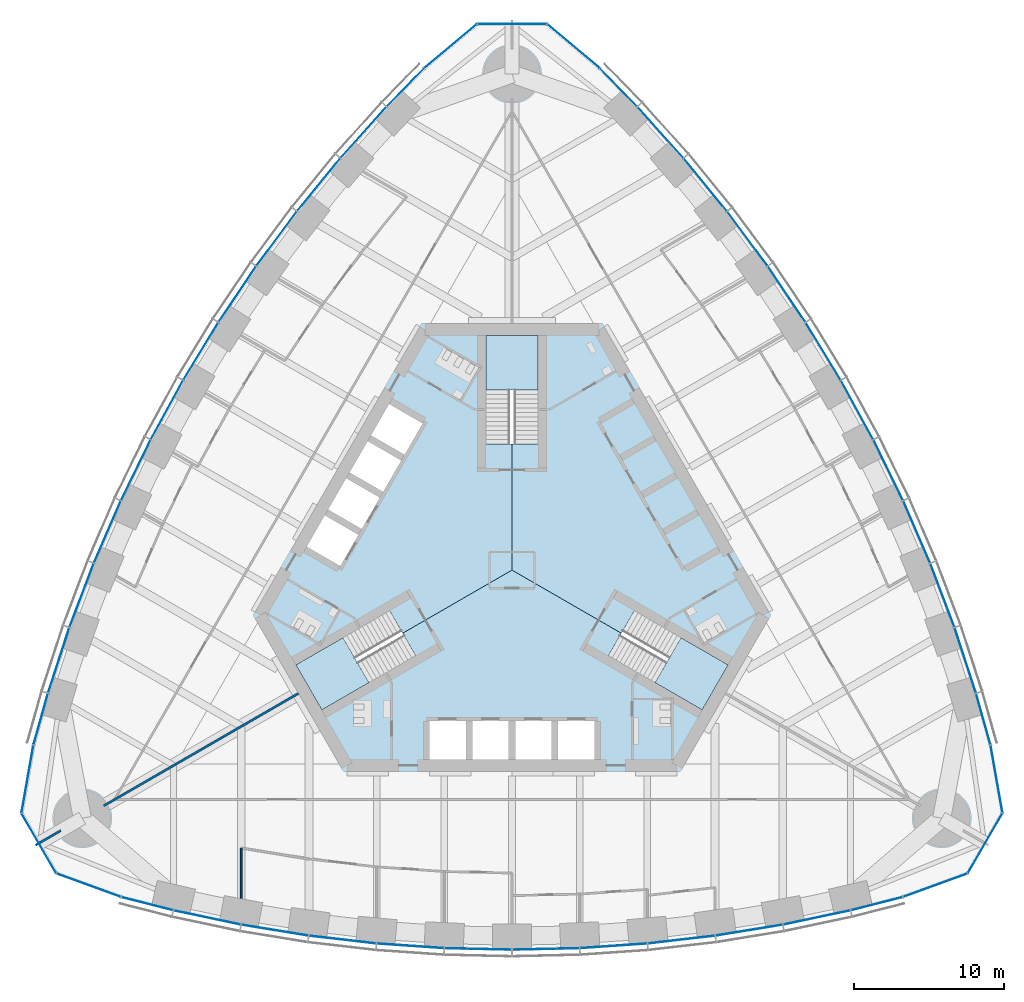
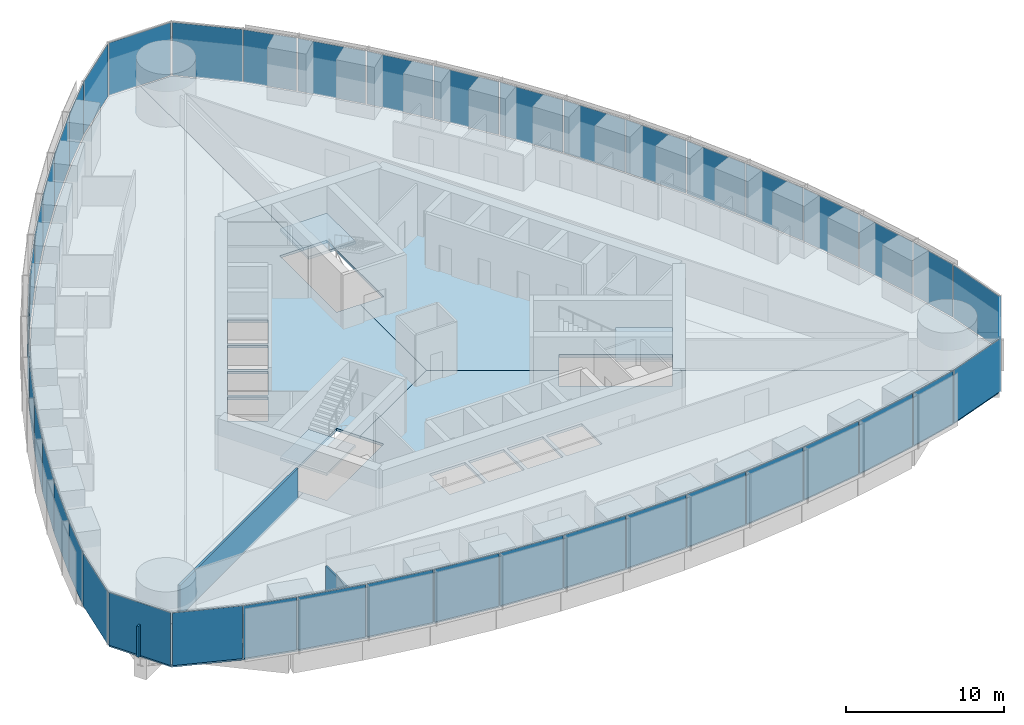
# One storey, part 10 of 19: 45 plates, 6 slabs, 3 walls, 9 elements without a shape of their own.
"""IFC4 building model written with IfcOpenShell, lengths in metres."""

from ifc_helpers import new_model, si_unit, direction, frame, frame_2d, origin, origin_2d, place, context, subcontext, project, spatial, polyline, rectangle, outline, extrude, material, layer, layer_set, type_object, element, aggregate, save


model = new_model("IFC4")

# Units and contexts
model_context = context("Model", 3, precision=1e-05, world=origin(), true_north=direction((0.0, 1.0)))
body_context = subcontext(model_context, "Body", "Model", "MODEL_VIEW")
ifc_project = project(units=[si_unit("LENGTHUNIT", "METRE"), si_unit("AREAUNIT", "SQUARE_METRE"), si_unit("VOLUMEUNIT", "CUBIC_METRE"), si_unit("PLANEANGLEUNIT", "RADIAN"), si_unit("MASSUNIT", "GRAM", prefix="KILO")], contexts=[model_context])

# Site, building, storey
site_placement = place(None, origin())
site = spatial("IfcSite", under=ifc_project, at=site_placement, CompositionType="ELEMENT")
building_placement = place(site_placement, origin())
building = spatial("IfcBuilding", under=site, at=building_placement, Name="Trefoil Bronze Tower", CompositionType="ELEMENT")
storey_placement = place(building_placement, frame((0.0, 0.0, 189.699951171875)))
storey = spatial("IfcBuildingStorey", under=building, at=storey_placement, Name="L43", CompositionType="ELEMENT", Elevation=189.699951171875)

# Curtain wall, plates
ifc_material_1 = material(Name="Tinted solar-control glass", Category="glass")
curtain_wall_type_1 = type_object("IfcCurtainWallType", Name="Bronze office curtain wall", PredefinedType="USERDEFINED", material=ifc_material_1)
curtain_wall_1_placement = place(storey_placement, origin())
curtain_wall_1 = element("IfcCurtainWall", 1, at=curtain_wall_1_placement, inside=storey, type_object=curtain_wall_type_1, Name="CW-A L43 F1", ObjectType="CURTAIN WALL", PredefinedType="USERDEFINED")
ifc_material_2 = material(Name="Tinted solar-control glass", Category="glass")
ifc_layer_1 = layer(ifc_material_2, 0.030029296875)
ifc_layer_set_1 = layer_set([ifc_layer_1], Name="Bronze office curtain wall glass panel")
plate_type_1 = type_object("IfcPlateType", Name="Bronze office curtain wall glass panel", PredefinedType="CURTAIN_PANEL", material=ifc_layer_set_1)
plate_1_placement = place(storey_placement, frame((-24.251220703125, -22.188232421875, 0.0), z_axis=(0.0, 0.0, 1.0), x_axis=(0.968934035393, -0.247319297786, 0.0)))
plate_1 = element("IfcPlate", 2, at=plate_1_placement, type_object=plate_type_1, Name="CW-A L43 F1 panel 1", PredefinedType="CURTAIN_PANEL", context=body_context, shape_type="SweptSolid", body=[
    extrude(rectangle(XDim=3.483642578125, YDim=0.030029296875, at=origin_2d()), origin(), (0.0, 0.0, 1.0), 4.080078125),
])
plate_2_placement = place(storey_placement, frame((-20.270751953125, -23.105224609375, 0.0), z_axis=(0.0, 0.0, 1.0), x_axis=(0.978394335897, -0.20674748725, 0.0)))
plate_2 = element("IfcPlate", 3, at=plate_2_placement, type_object=plate_type_1, Name="CW-A L43 F1 panel 2", PredefinedType="CURTAIN_PANEL", context=body_context, shape_type="SweptSolid", body=[
    extrude(rectangle(XDim=4.519287109375, YDim=0.030029296875, at=origin_2d()), origin(), (0.0, 0.0, 1.0), 4.080078125),
])
plate_3_placement = place(storey_placement, frame((-15.76611328125, -23.9482421875, 0.0), z_axis=(0.0, 0.0, 1.0), x_axis=(0.986986549528, -0.160802832848, 0.0)))
plate_3 = element("IfcPlate", 4, at=plate_3_placement, type_object=plate_type_1, Name="CW-A L43 F1 panel 3", PredefinedType="CURTAIN_PANEL", context=body_context, shape_type="SweptSolid", body=[
    extrude(rectangle(XDim=4.479248046875, YDim=0.030029296875, at=origin_2d()), origin(), (0.0, 0.0, 1.0), 4.080078125),
])
plate_4_placement = place(storey_placement, frame((-11.261474609375, -24.57568359375, 0.0), z_axis=(0.0, 0.0, 1.0), x_axis=(0.993381831741, -0.114858767043, 0.0)))
plate_4 = element("IfcPlate", 5, at=plate_4_placement, type_object=plate_type_1, Name="CW-A L43 F1 panel 4", PredefinedType="CURTAIN_PANEL", context=body_context, shape_type="SweptSolid", body=[
    extrude(rectangle(XDim=4.449951171875, YDim=0.030029296875, at=origin_2d()), origin(), (0.0, 0.0, 1.0), 4.080078125),
])
plate_5_placement = place(storey_placement, frame((-6.7568359375, -24.991455078125, 0.0), z_axis=(0.0, 0.0, 1.0), x_axis=(0.99762252804, -0.068915103905, 0.0)))
plate_5 = element("IfcPlate", 6, at=plate_5_placement, type_object=plate_type_1, Name="CW-A L43 F1 panel 5", PredefinedType="CURTAIN_PANEL", context=body_context, shape_type="SweptSolid", body=[
    extrude(rectangle(XDim=4.4306640625, YDim=0.030029296875, at=origin_2d()), origin(), (0.0, 0.0, 1.0), 4.080078125),
])
plate_6_placement = place(storey_placement, frame((-2.252197265625, -25.198974609375, 0.0), z_axis=(0.0, 0.0, 1.0), x_axis=(0.999736116243, -0.022971675577, 0.0)))
plate_6 = element("IfcPlate", 7, at=plate_6_placement, type_object=plate_type_1, Name="CW-A L43 F1 panel 6", PredefinedType="CURTAIN_PANEL", context=body_context, shape_type="SweptSolid", body=[
    extrude(rectangle(XDim=4.421142578125, YDim=0.030029296875, at=origin_2d()), origin(), (0.0, 0.0, 1.0), 4.080078125),
])
plate_7_placement = place(storey_placement, frame((2.252197265625, -25.198974609375, 0.0), z_axis=(0.0, 0.0, 1.0), x_axis=(0.999736116243, 0.022971675577, 0.0)))
plate_7 = element("IfcPlate", 8, at=plate_7_placement, type_object=plate_type_1, Name="CW-A L43 F1 panel 7", PredefinedType="CURTAIN_PANEL", context=body_context, shape_type="SweptSolid", body=[
    extrude(rectangle(XDim=4.421142578125, YDim=0.030029296875, at=origin_2d()), origin(), (0.0, 0.0, 1.0), 4.080078125),
])
plate_8_placement = place(storey_placement, frame((6.7568359375, -24.991455078125, 0.0), z_axis=(0.0, 0.0, 1.0), x_axis=(0.99762252804, 0.068915103905, 0.0)))
plate_8 = element("IfcPlate", 9, at=plate_8_placement, type_object=plate_type_1, Name="CW-A L43 F1 panel 8", PredefinedType="CURTAIN_PANEL", context=body_context, shape_type="SweptSolid", body=[
    extrude(rectangle(XDim=4.4306640625, YDim=0.030029296875, at=origin_2d()), origin(), (0.0, 0.0, 1.0), 4.080078125),
])
plate_9_placement = place(storey_placement, frame((11.261474609375, -24.57568359375, 0.0), z_axis=(0.0, 0.0, 1.0), x_axis=(0.993381831741, 0.114858767043, 0.0)))
plate_9 = element("IfcPlate", 10, at=plate_9_placement, type_object=plate_type_1, Name="CW-A L43 F1 panel 9", PredefinedType="CURTAIN_PANEL", context=body_context, shape_type="SweptSolid", body=[
    extrude(rectangle(XDim=4.449951171875, YDim=0.030029296875, at=origin_2d()), origin(), (0.0, 0.0, 1.0), 4.080078125),
])
plate_10_placement = place(storey_placement, frame((15.76611328125, -23.9482421875, 0.0), z_axis=(0.0, 0.0, 1.0), x_axis=(0.986986549528, 0.160802832848, 0.0)))
plate_10 = element("IfcPlate", 11, at=plate_10_placement, type_object=plate_type_1, Name="CW-A L43 F1 panel 10", PredefinedType="CURTAIN_PANEL", context=body_context, shape_type="SweptSolid", body=[
    extrude(rectangle(XDim=4.479248046875, YDim=0.030029296875, at=origin_2d()), origin(), (0.0, 0.0, 1.0), 4.080078125),
])
plate_11_placement = place(storey_placement, frame((20.270751953125, -23.105224609375, 0.0), z_axis=(0.0, 0.0, 1.0), x_axis=(0.978394335897, 0.20674748725, 0.0)))
plate_11 = element("IfcPlate", 12, at=plate_11_placement, type_object=plate_type_1, Name="CW-A L43 F1 panel 11", PredefinedType="CURTAIN_PANEL", context=body_context, shape_type="SweptSolid", body=[
    extrude(rectangle(XDim=4.519287109375, YDim=0.030029296875, at=origin_2d()), origin(), (0.0, 0.0, 1.0), 4.080078125),
])
plate_12_placement = place(storey_placement, frame((24.251220703125, -22.188232421875, 0.0), z_axis=(0.0, 0.0, 1.0), x_axis=(0.968934035393, 0.247319297786, 0.0)))
plate_12 = element("IfcPlate", 13, at=plate_12_placement, type_object=plate_type_1, Name="CW-A L43 F1 panel 12", PredefinedType="CURTAIN_PANEL", context=body_context, shape_type="SweptSolid", body=[
    extrude(rectangle(XDim=3.483642578125, YDim=0.030029296875, at=origin_2d()), origin(), (0.0, 0.0, 1.0), 4.080078125),
])
aggregate(curtain_wall_1, [plate_1, plate_2, plate_3, plate_4, plate_5, plate_6, plate_7, plate_8, plate_9, plate_10, plate_11, plate_12])

curtain_wall_2_placement = place(storey_placement, origin())
curtain_wall_2 = element("IfcCurtainWall", 14, at=curtain_wall_2_placement, inside=storey, type_object=curtain_wall_type_1, Name="CW-A L43 F2", ObjectType="CURTAIN WALL", PredefinedType="USERDEFINED")
plate_13_placement = place(storey_placement, frame((31.341064453125, -9.907958984375, 0.0), z_axis=(0.0, 0.0, 1.0), x_axis=(-0.270282222968, 0.962781138134, 0.0)))
plate_13 = element("IfcPlate", 15, at=plate_13_placement, type_object=plate_type_1, Name="CW-A L43 F2 panel 1", PredefinedType="CURTAIN_PANEL", context=body_context, shape_type="SweptSolid", body=[
    extrude(rectangle(XDim=3.483642578125, YDim=0.030029296875, at=origin_2d()), origin(), (0.0, 0.0, 1.0), 4.080078125),
])
plate_14_placement = place(storey_placement, frame((30.14501953125, -6.002197265625, 0.0), z_axis=(0.0, 0.0, 1.0), x_axis=(-0.310148591821, 0.950688093431, 0.0)))
plate_14 = element("IfcPlate", 16, at=plate_14_placement, type_object=plate_type_1, Name="CW-A L43 F2 panel 2", PredefinedType="CURTAIN_PANEL", context=body_context, shape_type="SweptSolid", body=[
    extrude(rectangle(XDim=4.519287109375, YDim=0.030029296875, at=origin_2d()), origin(), (0.0, 0.0, 1.0), 4.080078125),
])
plate_15_placement = place(storey_placement, frame((28.622802734375, -1.6796875, 0.0), z_axis=(0.0, 0.0, 1.0), x_axis=(-0.354233936517, 0.935156841508, 0.0)))
plate_15 = element("IfcPlate", 17, at=plate_15_placement, type_object=plate_type_1, Name="CW-A L43 F2 panel 3", PredefinedType="CURTAIN_PANEL", context=body_context, shape_type="SweptSolid", body=[
    extrude(rectangle(XDim=4.479248046875, YDim=0.030029296875, at=origin_2d()), origin(), (0.0, 0.0, 1.0), 4.080078125),
])
plate_16_placement = place(storey_placement, frame((26.913818359375, 2.53515625, 0.0), z_axis=(0.0, 0.0, 1.0), x_axis=(-0.397220305764, 0.917723285467, 0.0)))
plate_16 = element("IfcPlate", 18, at=plate_16_placement, type_object=plate_type_1, Name="CW-A L43 F2 panel 4", PredefinedType="CURTAIN_PANEL", context=body_context, shape_type="SweptSolid", body=[
    extrude(rectangle(XDim=4.449951171875, YDim=0.030029296875, at=origin_2d()), origin(), (0.0, 0.0, 1.0), 4.080078125),
])
plate_17_placement = place(storey_placement, frame((25.021728515625, 6.64404296875, 0.0), z_axis=(0.0, 0.0, 1.0), x_axis=(-0.439129033334, 0.898424004623, 0.0)))
plate_17 = element("IfcPlate", 19, at=plate_17_placement, type_object=plate_type_1, Name="CW-A L43 F2 panel 5", PredefinedType="CURTAIN_PANEL", context=body_context, shape_type="SweptSolid", body=[
    extrude(rectangle(XDim=4.4306640625, YDim=0.030029296875, at=origin_2d()), origin(), (0.0, 0.0, 1.0), 4.080078125),
])
plate_18_placement = place(storey_placement, frame((22.948974609375, 10.64892578125, 0.0), z_axis=(0.0, 0.0, 1.0), x_axis=(-0.479974003504, 0.877282711536, 0.0)))
plate_18 = element("IfcPlate", 20, at=plate_18_placement, type_object=plate_type_1, Name="CW-A L43 F2 panel 6", PredefinedType="CURTAIN_PANEL", context=body_context, shape_type="SweptSolid", body=[
    extrude(rectangle(XDim=4.421142578125, YDim=0.030029296875, at=origin_2d()), origin(), (0.0, 0.0, 1.0), 4.080078125),
])
plate_19_placement = place(storey_placement, frame((20.69677734375, 14.550048828125, 0.0), z_axis=(0.0, 0.0, 1.0), x_axis=(-0.519762112739, 0.854311035959, 0.0)))
plate_19 = element("IfcPlate", 21, at=plate_19_placement, type_object=plate_type_1, Name="CW-A L43 F2 panel 7", PredefinedType="CURTAIN_PANEL", context=body_context, shape_type="SweptSolid", body=[
    extrude(rectangle(XDim=4.421142578125, YDim=0.030029296875, at=origin_2d()), origin(), (0.0, 0.0, 1.0), 4.080078125),
])
plate_20_placement = place(storey_placement, frame((18.264892578125, 18.347412109375, 0.0), z_axis=(0.0, 0.0, 1.0), x_axis=(-0.558493494706, 0.829508900718, 0.0)))
plate_20 = element("IfcPlate", 22, at=plate_20_placement, type_object=plate_type_1, Name="CW-A L43 F2 panel 8", PredefinedType="CURTAIN_PANEL", context=body_context, shape_type="SweptSolid", body=[
    extrude(rectangle(XDim=4.4306640625, YDim=0.030029296875, at=origin_2d()), origin(), (0.0, 0.0, 1.0), 4.080078125),
])
plate_21_placement = place(storey_placement, frame((15.65234375, 22.04052734375, 0.0), z_axis=(0.0, 0.0, 1.0), x_axis=(-0.596161525977, 0.802864518425, 0.0)))
plate_21 = element("IfcPlate", 23, at=plate_21_placement, type_object=plate_type_1, Name="CW-A L43 F2 panel 9", PredefinedType="CURTAIN_PANEL", context=body_context, shape_type="SweptSolid", body=[
    extrude(rectangle(XDim=4.449951171875, YDim=0.030029296875, at=origin_2d()), origin(), (0.0, 0.0, 1.0), 4.080078125),
])
plate_22_placement = place(storey_placement, frame((12.856689453125, 25.6279296875, 0.0), z_axis=(0.0, 0.0, 1.0), x_axis=(-0.63275261301, 0.774354008661, 0.0)))
plate_22 = element("IfcPlate", 24, at=plate_22_placement, type_object=plate_type_1, Name="CW-A L43 F2 panel 10", PredefinedType="CURTAIN_PANEL", context=body_context, shape_type="SweptSolid", body=[
    extrude(rectangle(XDim=4.479248046875, YDim=0.030029296875, at=origin_2d()), origin(), (0.0, 0.0, 1.0), 4.080078125),
])
plate_23_placement = place(storey_placement, frame((9.87451171875, 29.107666015625, 0.0), z_axis=(0.0, 0.0, 1.0), x_axis=(-0.668245744076, 0.743940606181, 0.0)))
plate_23 = element("IfcPlate", 25, at=plate_23_placement, type_object=plate_type_1, Name="CW-A L43 F2 panel 11", PredefinedType="CURTAIN_PANEL", context=body_context, shape_type="SweptSolid", body=[
    extrude(rectangle(XDim=4.519287109375, YDim=0.030029296875, at=origin_2d()), origin(), (0.0, 0.0, 1.0), 4.080078125),
])
plate_24_placement = place(storey_placement, frame((7.08984375, 32.09619140625, 0.0), z_axis=(0.0, 0.0, 1.0), x_axis=(-0.698651812425, 0.715461840349, 0.0)))
plate_24 = element("IfcPlate", 26, at=plate_24_placement, type_object=plate_type_1, Name="CW-A L43 F2 panel 12", PredefinedType="CURTAIN_PANEL", context=body_context, shape_type="SweptSolid", body=[
    extrude(rectangle(XDim=3.483642578125, YDim=0.030029296875, at=origin_2d()), origin(), (0.0, 0.0, 1.0), 4.080078125),
])
aggregate(curtain_wall_2, [plate_13, plate_14, plate_15, plate_16, plate_17, plate_18, plate_19, plate_20, plate_21, plate_22, plate_23, plate_24])

curtain_wall_3_placement = place(storey_placement, origin())
curtain_wall_3 = element("IfcCurtainWall", 27, at=curtain_wall_3_placement, inside=storey, type_object=curtain_wall_type_1, Name="CW-A L43 F3", ObjectType="CURTAIN WALL", PredefinedType="USERDEFINED")
plate_25_placement = place(storey_placement, frame((-7.08984375, 32.09619140625, 0.0), z_axis=(0.0, 0.0, 1.0), x_axis=(-0.698651812425, -0.715461840349, 0.0)))
plate_25 = element("IfcPlate", 28, at=plate_25_placement, type_object=plate_type_1, Name="CW-A L43 F3 panel 1", PredefinedType="CURTAIN_PANEL", context=body_context, shape_type="SweptSolid", body=[
    extrude(rectangle(XDim=3.483642578125, YDim=0.030029296875, at=origin_2d()), origin(), (0.0, 0.0, 1.0), 4.080078125),
])
plate_26_placement = place(storey_placement, frame((-9.87451171875, 29.107666015625, 0.0), z_axis=(0.0, 0.0, 1.0), x_axis=(-0.668245744076, -0.743940606181, 0.0)))
plate_26 = element("IfcPlate", 29, at=plate_26_placement, type_object=plate_type_1, Name="CW-A L43 F3 panel 2", PredefinedType="CURTAIN_PANEL", context=body_context, shape_type="SweptSolid", body=[
    extrude(rectangle(XDim=4.519287109375, YDim=0.030029296875, at=origin_2d()), origin(), (0.0, 0.0, 1.0), 4.080078125),
])
plate_27_placement = place(storey_placement, frame((-12.856689453125, 25.6279296875, 0.0), z_axis=(0.0, 0.0, 1.0), x_axis=(-0.63275261301, -0.774354008661, 0.0)))
plate_27 = element("IfcPlate", 30, at=plate_27_placement, type_object=plate_type_1, Name="CW-A L43 F3 panel 3", PredefinedType="CURTAIN_PANEL", context=body_context, shape_type="SweptSolid", body=[
    extrude(rectangle(XDim=4.479248046875, YDim=0.030029296875, at=origin_2d()), origin(), (0.0, 0.0, 1.0), 4.080078125),
])
plate_28_placement = place(storey_placement, frame((-15.65234375, 22.04052734375, 0.0), z_axis=(0.0, 0.0, 1.0), x_axis=(-0.596161525977, -0.802864518425, 0.0)))
plate_28 = element("IfcPlate", 31, at=plate_28_placement, type_object=plate_type_1, Name="CW-A L43 F3 panel 4", PredefinedType="CURTAIN_PANEL", context=body_context, shape_type="SweptSolid", body=[
    extrude(rectangle(XDim=4.449951171875, YDim=0.030029296875, at=origin_2d()), origin(), (0.0, 0.0, 1.0), 4.080078125),
])
plate_29_placement = place(storey_placement, frame((-18.264892578125, 18.347412109375, 0.0), z_axis=(0.0, 0.0, 1.0), x_axis=(-0.558493494706, -0.829508900718, 0.0)))
plate_29 = element("IfcPlate", 32, at=plate_29_placement, type_object=plate_type_1, Name="CW-A L43 F3 panel 5", PredefinedType="CURTAIN_PANEL", context=body_context, shape_type="SweptSolid", body=[
    extrude(rectangle(XDim=4.4306640625, YDim=0.030029296875, at=origin_2d()), origin(), (0.0, 0.0, 1.0), 4.080078125),
])
plate_30_placement = place(storey_placement, frame((-20.69677734375, 14.550048828125, 0.0), z_axis=(0.0, 0.0, 1.0), x_axis=(-0.519762112739, -0.854311035959, 0.0)))
plate_30 = element("IfcPlate", 33, at=plate_30_placement, type_object=plate_type_1, Name="CW-A L43 F3 panel 6", PredefinedType="CURTAIN_PANEL", context=body_context, shape_type="SweptSolid", body=[
    extrude(rectangle(XDim=4.421142578125, YDim=0.030029296875, at=origin_2d()), origin(), (0.0, 0.0, 1.0), 4.080078125),
])
plate_31_placement = place(storey_placement, frame((-22.948974609375, 10.64892578125, 0.0), z_axis=(0.0, 0.0, 1.0), x_axis=(-0.479974003504, -0.877282711536, 0.0)))
plate_31 = element("IfcPlate", 34, at=plate_31_placement, type_object=plate_type_1, Name="CW-A L43 F3 panel 7", PredefinedType="CURTAIN_PANEL", context=body_context, shape_type="SweptSolid", body=[
    extrude(rectangle(XDim=4.421142578125, YDim=0.030029296875, at=origin_2d()), origin(), (0.0, 0.0, 1.0), 4.080078125),
])
plate_32_placement = place(storey_placement, frame((-25.021728515625, 6.64404296875, 0.0), z_axis=(0.0, 0.0, 1.0), x_axis=(-0.439129033334, -0.898424004623, 0.0)))
plate_32 = element("IfcPlate", 35, at=plate_32_placement, type_object=plate_type_1, Name="CW-A L43 F3 panel 8", PredefinedType="CURTAIN_PANEL", context=body_context, shape_type="SweptSolid", body=[
    extrude(rectangle(XDim=4.4306640625, YDim=0.030029296875, at=origin_2d()), origin(), (0.0, 0.0, 1.0), 4.080078125),
])
plate_33_placement = place(storey_placement, frame((-26.913818359375, 2.53515625, 0.0), z_axis=(0.0, 0.0, 1.0), x_axis=(-0.397220305764, -0.917723285467, 0.0)))
plate_33 = element("IfcPlate", 36, at=plate_33_placement, type_object=plate_type_1, Name="CW-A L43 F3 panel 9", PredefinedType="CURTAIN_PANEL", context=body_context, shape_type="SweptSolid", body=[
    extrude(rectangle(XDim=4.449951171875, YDim=0.030029296875, at=origin_2d()), origin(), (0.0, 0.0, 1.0), 4.080078125),
])
plate_34_placement = place(storey_placement, frame((-28.622802734375, -1.6796875, 0.0), z_axis=(0.0, 0.0, 1.0), x_axis=(-0.354233936517, -0.935156841508, 0.0)))
plate_34 = element("IfcPlate", 37, at=plate_34_placement, type_object=plate_type_1, Name="CW-A L43 F3 panel 10", PredefinedType="CURTAIN_PANEL", context=body_context, shape_type="SweptSolid", body=[
    extrude(rectangle(XDim=4.479248046875, YDim=0.030029296875, at=origin_2d()), origin(), (0.0, 0.0, 1.0), 4.080078125),
])
plate_35_placement = place(storey_placement, frame((-30.14501953125, -6.002197265625, 0.0), z_axis=(0.0, 0.0, 1.0), x_axis=(-0.310148591821, -0.950688093431, 0.0)))
plate_35 = element("IfcPlate", 38, at=plate_35_placement, type_object=plate_type_1, Name="CW-A L43 F3 panel 11", PredefinedType="CURTAIN_PANEL", context=body_context, shape_type="SweptSolid", body=[
    extrude(rectangle(XDim=4.519287109375, YDim=0.030029296875, at=origin_2d()), origin(), (0.0, 0.0, 1.0), 4.080078125),
])
plate_36_placement = place(storey_placement, frame((-31.341064453125, -9.907958984375, 0.0), z_axis=(0.0, 0.0, 1.0), x_axis=(-0.270282222968, -0.962781138134, 0.0)))
plate_36 = element("IfcPlate", 39, at=plate_36_placement, type_object=plate_type_1, Name="CW-A L43 F3 panel 12", PredefinedType="CURTAIN_PANEL", context=body_context, shape_type="SweptSolid", body=[
    extrude(rectangle(XDim=3.483642578125, YDim=0.030029296875, at=origin_2d()), origin(), (0.0, 0.0, 1.0), 4.080078125),
])
aggregate(curtain_wall_3, [plate_25, plate_26, plate_27, plate_28, plate_29, plate_30, plate_31, plate_32, plate_33, plate_34, plate_35, plate_36])

ifc_material_3 = material(Name="Tinted solar-control glass", Category="glass")
curtain_wall_type_2 = type_object("IfcCurtainWallType", Name="Bronze rounded corner curtain wall", PredefinedType="USERDEFINED", material=ifc_material_3)
curtain_wall_4_placement = place(storey_placement, origin())
curtain_wall_4 = element("IfcCurtainWall", 40, at=curtain_wall_4_placement, inside=storey, type_object=curtain_wall_type_2, Name="CW-B L43 K1", ObjectType="CURTAIN WALL", PredefinedType="USERDEFINED")
ifc_material_4 = material(Name="Tinted solar-control glass", Category="glass")
ifc_layer_2 = layer(ifc_material_4, 0.030029296875)
ifc_layer_set_2 = layer_set([ifc_layer_2], Name="Bronze rounded corner curtain wall glass panel")
plate_type_2 = type_object("IfcPlateType", Name="Bronze rounded corner curtain wall glass panel", PredefinedType="CURTAIN_PANEL", material=ifc_layer_set_2)
plate_37_placement = place(storey_placement, frame((28.1298828125, -20.96484375, 0.0), z_axis=(0.0, 0.0, 1.0), x_axis=(0.939692620786, 0.342020143326, 0.0)))
plate_37 = element("IfcPlate", 41, at=plate_37_placement, type_object=plate_type_2, Name="CW-B L43 K1 panel 1", PredefinedType="CURTAIN_PANEL", context=body_context, shape_type="SweptSolid", body=[
    extrude(rectangle(XDim=4.500244140625, YDim=0.030029296875, at=origin_2d()), origin(), (0.0, 0.0, 1.0), 4.080078125),
])
plate_38_placement = place(storey_placement, frame((31.46484375, -18.166259765625, 0.0), z_axis=(0.0, 0.0, 1.0), x_axis=(0.5, 0.866025403784, 0.0)))
plate_38 = element("IfcPlate", 42, at=plate_38_placement, type_object=plate_type_2, Name="CW-B L43 K1 panel 2", PredefinedType="CURTAIN_PANEL", context=body_context, shape_type="SweptSolid", body=[
    extrude(rectangle(XDim=4.500244140625, YDim=0.030029296875, at=origin_2d()), origin(), (0.0, 0.0, 1.0), 4.080078125),
])
plate_39_placement = place(storey_placement, frame((32.220947265625, -13.878662109375, 0.0), z_axis=(0.0, 0.0, 1.0), x_axis=(-0.173648177667, 0.984807753012, 0.0)))
plate_39 = element("IfcPlate", 43, at=plate_39_placement, type_object=plate_type_2, Name="CW-B L43 K1 panel 3", PredefinedType="CURTAIN_PANEL", context=body_context, shape_type="SweptSolid", body=[
    extrude(rectangle(XDim=4.500244140625, YDim=0.030029296875, at=origin_2d()), origin(), (0.0, 0.0, 1.0), 4.080078125),
])
aggregate(curtain_wall_4, [plate_37, plate_38, plate_39])

curtain_wall_5_placement = place(storey_placement, origin())
curtain_wall_5 = element("IfcCurtainWall", 44, at=curtain_wall_5_placement, inside=storey, type_object=curtain_wall_type_2, Name="CW-B L43 K2", ObjectType="CURTAIN WALL", PredefinedType="USERDEFINED")
plate_40_placement = place(storey_placement, frame((4.091064453125, 34.843505859375, 0.0), z_axis=(0.0, 0.0, 1.0), x_axis=(-0.766044443119, 0.642787609687, 0.0)))
plate_40 = element("IfcPlate", 45, at=plate_40_placement, type_object=plate_type_2, Name="CW-B L43 K2 panel 1", PredefinedType="CURTAIN_PANEL", context=body_context, shape_type="SweptSolid", body=[
    extrude(rectangle(XDim=4.500244140625, YDim=0.030029296875, at=origin_2d()), origin(), (0.0, 0.0, 1.0), 4.080078125),
])
plate_41_placement = place(storey_placement, frame((0.0, 36.33251953125, 0.0), z_axis=(0.0, 0.0, 1.0), x_axis=(-1.0, 0.0, 0.0)))
plate_41 = element("IfcPlate", 46, at=plate_41_placement, type_object=plate_type_2, Name="CW-B L43 K2 panel 2", PredefinedType="CURTAIN_PANEL", context=body_context, shape_type="SweptSolid", body=[
    extrude(rectangle(XDim=4.500244140625, YDim=0.030029296875, at=origin_2d()), origin(), (0.0, 0.0, 1.0), 4.080078125),
])
plate_42_placement = place(storey_placement, frame((-4.091064453125, 34.843505859375, 0.0), z_axis=(0.0, 0.0, 1.0), x_axis=(-0.766044443119, -0.642787609687, 0.0)))
plate_42 = element("IfcPlate", 47, at=plate_42_placement, type_object=plate_type_2, Name="CW-B L43 K2 panel 3", PredefinedType="CURTAIN_PANEL", context=body_context, shape_type="SweptSolid", body=[
    extrude(rectangle(XDim=4.500244140625, YDim=0.030029296875, at=origin_2d()), origin(), (0.0, 0.0, 1.0), 4.080078125),
])
aggregate(curtain_wall_5, [plate_40, plate_41, plate_42])

curtain_wall_6_placement = place(storey_placement, origin())
curtain_wall_6 = element("IfcCurtainWall", 48, at=curtain_wall_6_placement, inside=storey, type_object=curtain_wall_type_2, Name="CW-B L43 K3", ObjectType="CURTAIN WALL", PredefinedType="USERDEFINED")
plate_43_placement = place(storey_placement, frame((-32.220947265625, -13.878662109375, 0.0), z_axis=(0.0, 0.0, 1.0), x_axis=(-0.173648177667, -0.984807753012, 0.0)))
plate_43 = element("IfcPlate", 49, at=plate_43_placement, type_object=plate_type_2, Name="CW-B L43 K3 panel 1", PredefinedType="CURTAIN_PANEL", context=body_context, shape_type="SweptSolid", body=[
    extrude(rectangle(XDim=4.500244140625, YDim=0.030029296875, at=origin_2d()), origin(), (0.0, 0.0, 1.0), 4.080078125),
])
plate_44_placement = place(storey_placement, frame((-31.46484375, -18.166259765625, 0.0), z_axis=(0.0, 0.0, 1.0), x_axis=(0.5, -0.866025403784, 0.0)))
plate_44 = element("IfcPlate", 50, at=plate_44_placement, type_object=plate_type_2, Name="CW-B L43 K3 panel 2", PredefinedType="CURTAIN_PANEL", context=body_context, shape_type="SweptSolid", body=[
    extrude(rectangle(XDim=4.500244140625, YDim=0.030029296875, at=origin_2d()), origin(), (0.0, 0.0, 1.0), 4.080078125),
])
plate_45_placement = place(storey_placement, frame((-28.1298828125, -20.96484375, 0.0), z_axis=(0.0, 0.0, 1.0), x_axis=(0.939692620786, -0.342020143326, 0.0)))
plate_45 = element("IfcPlate", 51, at=plate_45_placement, type_object=plate_type_2, Name="CW-B L43 K3 panel 3", PredefinedType="CURTAIN_PANEL", context=body_context, shape_type="SweptSolid", body=[
    extrude(rectangle(XDim=4.500244140625, YDim=0.030029296875, at=origin_2d()), origin(), (0.0, 0.0, 1.0), 4.080078125),
])
aggregate(curtain_wall_6, [plate_43, plate_44, plate_45])

# Slabs
ifc_material_5 = material(Name="Concrete B30", Category="concrete")
ifc_layer_3 = layer(ifc_material_5, 0.199951171875)
ifc_layer_set_3 = layer_set([ifc_layer_3], Name="Floor slab 200")
slab_type_1 = type_object("IfcSlabType", Name="Floor slab 200", PredefinedType="FLOOR", material=ifc_layer_set_3)
slab_1_placement = place(storey_placement, frame((0.0, 0.0, -0.199951171875)))
element("IfcSlab", 52, at=slab_1_placement, inside=storey, type_object=slab_type_1, Name="Floor slab L43 face 1", PredefinedType="FLOOR", context=body_context, shape_type="SweptSolid", body=[
    extrude(outline(polyline([(18.0, -23.48291015625), (13.5, -24.216064453125), (9.0, -24.736328125), (4.5, -25.047119140625), (0.0, -25.150634765625), (-4.5, -25.047119140625), (-9.0, -24.736328125), (-13.5, -24.216064453125), (-18.0, -23.48291015625), (-22.5, -22.531982421875), (-25.952880859375, -21.650634765625), (-30.23828125, -20.0908203125), (-31.37841796875, -18.1162109375), (-13.510009765625, -7.800048828125), (-12.6474609375, -9.2939453125), (-6.412109375, -5.69384765625), (-7.274658203125, -4.199951171875), (0.0, 0.0), (7.274658203125, -4.199951171875), (6.412109375, -5.69384765625), (12.6474609375, -9.2939453125), (13.510009765625, -7.800048828125), (31.37841796875, -18.1162109375), (30.23828125, -20.0908203125), (25.952880859375, -21.650634765625), (22.5, -22.531982421875), (18.0, -23.48291015625)]), holes=[polyline([(-5.574951171875, -10.02490234375), (-2.97509765625, -10.02490234375), (-2.97509765625, -12.60009765625), (-5.574951171875, -12.60009765625), (-5.574951171875, -10.02490234375)]), polyline([(-2.72509765625, -10.02490234375), (-0.125, -10.02490234375), (-0.125, -12.60009765625), (-2.72509765625, -12.60009765625), (-2.72509765625, -10.02490234375)]), polyline([(0.125, -10.02490234375), (2.72509765625, -10.02490234375), (2.72509765625, -12.60009765625), (0.125, -12.60009765625), (0.125, -10.02490234375)]), polyline([(2.97509765625, -10.02490234375), (5.574951171875, -10.02490234375), (5.574951171875, -12.60009765625), (2.97509765625, -12.60009765625), (2.97509765625, -10.02490234375)])]), origin(), (0.0, 0.0, 1.0), 0.199951171875),
])
slab_2_placement = place(storey_placement, frame((0.0, 0.0, -0.199951171875)))
element("IfcSlab", 53, at=slab_2_placement, inside=storey, type_object=slab_type_1, Name="Floor slab L43 face 2", PredefinedType="FLOOR", context=body_context, shape_type="SweptSolid", body=[
    extrude(outline(polyline([(11.3369140625, 27.329833984375), (14.2216796875, 23.79931640625), (16.92236328125, 20.162353515625), (19.441650390625, 16.420654296875), (21.781005859375, 12.575439453125), (23.941650390625, 8.62646484375), (25.92236328125, 4.573974609375), (27.7216796875, 0.416748046875), (29.3369140625, -3.846923828125), (30.76318359375, -8.219482421875), (31.7265625, -11.650634765625), (32.518310546875, -16.1416015625), (31.37841796875, -18.1162109375), (13.510009765625, -7.800048828125), (14.37255859375, -6.30615234375), (8.13720703125, -2.7060546875), (7.274658203125, -4.199951171875), (0.0, 0.0), (0.0, 8.39990234375), (1.72509765625, 8.39990234375), (1.72509765625, 15.60009765625), (0.0, 15.60009765625), (0.0, 36.232666015625), (2.280029296875, 36.232666015625), (5.7734375, 33.30126953125), (8.26318359375, 30.75146484375), (11.3369140625, 27.329833984375)])), origin(), (0.0, 0.0, 1.0), 0.199951171875),
])
slab_3_placement = place(storey_placement, frame((0.0, 0.0, -0.199951171875)))
element("IfcSlab", 54, at=slab_3_placement, inside=storey, type_object=slab_type_1, Name="Floor slab L43 face 3", PredefinedType="FLOOR", context=body_context, shape_type="SweptSolid", body=[
    extrude(outline(polyline([(-29.3369140625, -3.846923828125), (-27.7216796875, 0.416748046875), (-25.92236328125, 4.573974609375), (-23.941650390625, 8.62646484375), (-21.781005859375, 12.575439453125), (-19.441650390625, 16.420654296875), (-16.92236328125, 20.162353515625), (-14.2216796875, 23.79931640625), (-11.3369140625, 27.329833984375), (-8.26318359375, 30.75146484375), (-5.7734375, 33.30126953125), (-2.280029296875, 36.232666015625), (0.0, 36.232666015625), (0.0, 15.60009765625), (-1.72509765625, 15.60009765625), (-1.72509765625, 8.39990234375), (0.0, 8.39990234375), (0.0, 0.0), (-7.274658203125, -4.199951171875), (-8.13720703125, -2.7060546875), (-14.37255859375, -6.30615234375), (-13.510009765625, -7.800048828125), (-31.37841796875, -18.1162109375), (-32.518310546875, -16.1416015625), (-31.7265625, -11.650634765625), (-30.76318359375, -8.219482421875), (-29.3369140625, -3.846923828125)]), holes=[polyline([(-5.894287109375, 9.840576171875), (-7.1943359375, 7.5888671875), (-9.42431640625, 8.87646484375), (-8.12451171875, 11.128173828125), (-5.894287109375, 9.840576171875)]), polyline([(-7.3193359375, 7.372314453125), (-8.619384765625, 5.120849609375), (-10.849365234375, 6.408203125), (-9.54931640625, 8.659912109375), (-7.3193359375, 7.372314453125)]), polyline([(-8.744384765625, 4.904296875), (-10.04443359375, 2.652587890625), (-12.2744140625, 3.940185546875), (-10.974365234375, 6.191650390625), (-8.744384765625, 4.904296875)]), polyline([(-10.16943359375, 2.43603515625), (-11.469482421875, 0.184326171875), (-13.699462890625, 1.471923828125), (-12.3994140625, 3.7236328125), (-10.16943359375, 2.43603515625)])]), origin(), (0.0, 0.0, 1.0), 0.199951171875),
])

# Stair, slab
ifc_material_6 = material(Name="Precast concrete B80", Category="concrete")
stair_type = type_object("IfcStairType", Name="Exit stair 26 risers", PredefinedType="HALF_TURN_STAIR", material=ifc_material_6)
stair_1_placement = place(storey_placement, origin())
stair_1 = element("IfcStair", 55, at=stair_1_placement, inside=storey, type_object=stair_type, Name="Stair ST1 L43", PredefinedType="HALF_TURN_STAIR")
ifc_material_7 = material(Name="Concrete B30", Category="concrete")
ifc_layer_4 = layer(ifc_material_7, 0.199951171875)
ifc_layer_set_4 = layer_set([ifc_layer_4], Name="Stair landing 200")
slab_type_2 = type_object("IfcSlabType", Name="Stair landing 200", PredefinedType="LANDING", material=ifc_layer_set_4)
slab_4_placement = place(storey_placement, frame((0.0, 0.0, 1.900146484375)))
slab_4 = element("IfcSlab", 56, at=slab_4_placement, type_object=slab_type_2, Name="ST1 landing 1", PredefinedType="LANDING", context=body_context, shape_type="SweptSolid", body=[
    extrude(outline(polyline([(9.512451171875, -7.48388671875), (12.6474609375, -9.2939453125), (14.37255859375, -6.30615234375), (11.237548828125, -4.49609375), (9.512451171875, -7.48388671875)])), origin(), (0.0, 0.0, 1.0), 0.199951171875),
])
aggregate(stair_1, [slab_4])

stair_2_placement = place(storey_placement, origin())
stair_2 = element("IfcStair", 57, at=stair_2_placement, inside=storey, type_object=stair_type, Name="Stair ST2 L43", PredefinedType="HALF_TURN_STAIR")
slab_5_placement = place(storey_placement, frame((0.0, 0.0, 1.900146484375)))
slab_5 = element("IfcSlab", 58, at=slab_5_placement, type_object=slab_type_2, Name="ST2 landing 1", PredefinedType="LANDING", context=body_context, shape_type="SweptSolid", body=[
    extrude(outline(polyline([(1.72509765625, 11.97998046875), (1.72509765625, 15.60009765625), (-1.72509765625, 15.60009765625), (-1.72509765625, 11.97998046875), (1.72509765625, 11.97998046875)])), origin(), (0.0, 0.0, 1.0), 0.199951171875),
])
aggregate(stair_2, [slab_5])

stair_3_placement = place(storey_placement, origin())
stair_3 = element("IfcStair", 59, at=stair_3_placement, inside=storey, type_object=stair_type, Name="Stair ST3 L43", PredefinedType="HALF_TURN_STAIR")
slab_6_placement = place(storey_placement, frame((0.0, 0.0, 1.900146484375)))
slab_6 = element("IfcSlab", 60, at=slab_6_placement, type_object=slab_type_2, Name="ST3 landing 1", PredefinedType="LANDING", context=body_context, shape_type="SweptSolid", body=[
    extrude(outline(polyline([(-11.237548828125, -4.49609375), (-14.37255859375, -6.30615234375), (-12.6474609375, -9.2939453125), (-9.512451171875, -7.48388671875), (-11.237548828125, -4.49609375)])), origin(), (0.0, 0.0, 1.0), 0.199951171875),
])
aggregate(stair_3, [slab_6])

# Walls
ifc_material_8 = material(Name="Glazed partition", Category="glass")
ifc_layer_5 = layer(ifc_material_8, 0.1201171875)
ifc_layer_set_5 = layer_set([ifc_layer_5], Name="Glazed partition 120")
wall_type_1 = type_object("IfcWallType", Name="Glazed partition 120", PredefinedType="PARTITIONING", material=ifc_layer_set_5)
wall_1_placement = place(storey_placement, frame((-18.0, -18.48291015625, 0.0), z_axis=(0.0, 0.0, 1.0), x_axis=(0.0, -1.0, 0.0)))
element("IfcWall", 61, at=wall_1_placement, inside=storey, type_object=wall_type_1, Name="Partition F1 L43", PredefinedType="PARTITIONING", context=body_context, shape_type="SweptSolid", body=[
    extrude(rectangle(XDim=3.342041015625, YDim=0.1201171875, at=frame_2d((1.6708984375, 0.0))), origin(), (0.0, 0.0, 1.0), 2.400146484375),
])
ifc_material_9 = material(Name="Gypsum board on steel studs", Category="steel")
ifc_layer_6 = layer(ifc_material_9, 0.14990234375)
ifc_layer_set_6 = layer_set([ifc_layer_6], Name="Party wall 150")
wall_type_2 = type_object("IfcWallType", Name="Party wall 150", PredefinedType="PARTITIONING", material=ifc_layer_set_6)
wall_2_placement = place(storey_placement, frame((-14.202880859375, -8.199951171875, 0.0), z_axis=(0.0, 0.0, 1.0), x_axis=(-0.866021600284, -0.500006587798, 0.0)))
element("IfcWall", 62, at=wall_2_placement, inside=storey, type_object=wall_type_2, Name="Party wall K3 L43", PredefinedType="PARTITIONING", context=body_context, shape_type="SweptSolid", body=[
    extrude(rectangle(XDim=14.949951171875, YDim=0.14990234375, at=frame_2d((7.47509765625, 0.0))), origin(), (0.0, 0.0, 1.0), 2.400146484375),
])
wall_3_placement = place(storey_placement, frame((-30.0078125, -17.324951171875, 0.0), z_axis=(0.0, 0.0, 1.0), x_axis=(-0.866013246922, -0.500021055713, 0.0)))
element("IfcWall", 63, at=wall_3_placement, inside=storey, type_object=wall_type_2, Name="Party wall K3 L43", PredefinedType="PARTITIONING", context=body_context, shape_type="SweptSolid", body=[
    extrude(rectangle(XDim=1.9345703125, YDim=0.14990234375, at=frame_2d((0.96728515625, 0.0))), origin(), (0.0, 0.0, 1.0), 2.400146484375),
])

save(model, "model.ifc")
